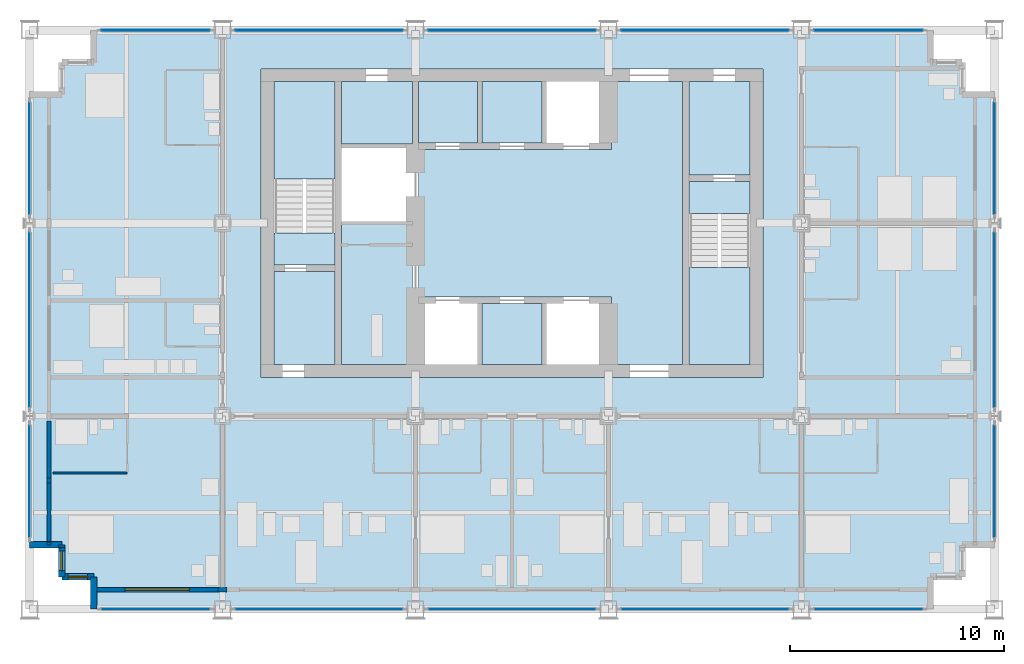
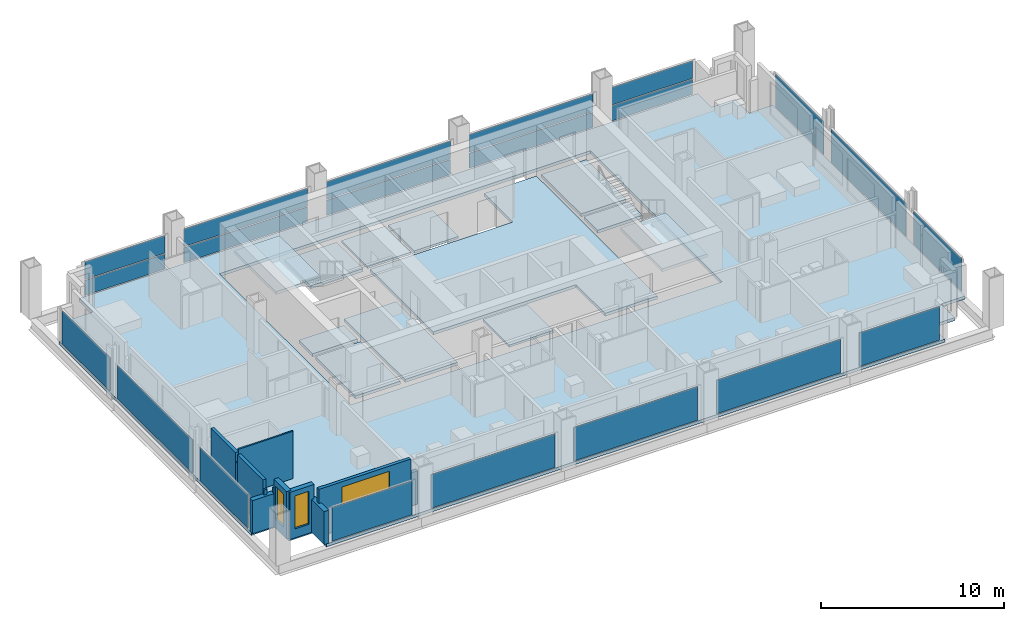
# One storey, part 6 of 13: 21 plates, 13 slabs, 12 walls, 3 windows, 3 openings, 18 elements without a shape of their own.
"""IFC4 building model written with IfcOpenShell, lengths in metres."""

from ifc_helpers import new_model, si_unit, direction, frame, frame_2d, origin, origin_2d, place, context, subcontext, project, spatial, polyline, rectangle, outline, extrude, material, layer, layer_set, type_object, element, fill, aggregate, save


model = new_model("IFC4")

# Units and contexts
model_context = context("Model", 3, precision=1e-05, world=origin(), true_north=direction((0.0, 1.0)))
body_context = subcontext(model_context, "Body", "Model", "MODEL_VIEW")
ifc_project = project(units=[si_unit("LENGTHUNIT", "METRE"), si_unit("AREAUNIT", "SQUARE_METRE"), si_unit("VOLUMEUNIT", "CUBIC_METRE"), si_unit("PLANEANGLEUNIT", "RADIAN"), si_unit("MASSUNIT", "GRAM", prefix="KILO")], contexts=[model_context])

# Site, building, storey
site_placement = place(None, origin())
site = spatial("IfcSite", under=ifc_project, at=site_placement, CompositionType="ELEMENT")
building_placement = place(site_placement, origin())
building = spatial("IfcBuilding", under=site, at=building_placement, Name="Loomwork Tower", CompositionType="ELEMENT")
storey_placement = place(building_placement, frame((0.0, 0.0, 218.199951171875)))
storey = spatial("IfcBuildingStorey", under=building, at=storey_placement, Name="L60", CompositionType="ELEMENT", Elevation=218.199951171875)

# Slabs
ifc_material_1 = material(Name="Concrete 5000 psi (34 MPa) on composite metal deck", Category="concrete")
ifc_layer_1 = layer(ifc_material_1, 0.199951171875)
ifc_layer_set_1 = layer_set([ifc_layer_1], Name="Floor slab 200")
slab_type_1 = type_object("IfcSlabType", Name="Floor slab 200", PredefinedType="FLOOR", material=ifc_layer_set_1)
slab_1_placement = place(storey_placement, frame((0.0, 0.0, -0.199951171875)))
element("IfcSlab", 1, at=slab_1_placement, inside=storey, type_object=slab_type_1, Name="Floor slab L60", PredefinedType="FLOOR", context=body_context, shape_type="SweptSolid", body=[
    extrude(outline(polyline([(3.0, 1.5), (1.5, 1.5), (1.5, 3.0), (0.0, 3.0), (0.0, 24.0), (1.5, 24.0), (1.5, 25.5), (3.0, 25.5), (3.0, 27.0), (42.0, 27.0), (42.0, 25.5), (43.5, 25.5), (43.5, 24.0), (45.0, 24.0), (45.0, 3.0), (43.5, 3.0), (43.5, 1.5), (42.0, 1.5), (42.0, 0.0), (3.0, 0.0), (3.0, 1.5)]), holes=[polyline([(10.800048828125, 11.39990234375), (10.800048828125, 11.39990234375), (10.800048828125, 10.800048828125), (34.199951171875, 10.800048828125), (34.199951171875, 11.39990234375), (34.199951171875, 11.39990234375), (34.199951171875, 24.60009765625), (34.199951171875, 25.199951171875), (10.800048828125, 25.199951171875), (10.800048828125, 24.60009765625), (10.800048828125, 11.39990234375)])]), origin(), (0.0, 0.0, 1.0), 0.199951171875),
])
slab_2_placement = place(storey_placement, frame((0.0, 0.0, -0.199951171875)))
element("IfcSlab", 2, at=slab_2_placement, inside=storey, type_object=slab_type_1, Name="Floor slab L60", PredefinedType="FLOOR", context=body_context, shape_type="SweptSolid", body=[
    extrude(outline(polyline([(30.449951171875, 24.60009765625), (30.449951171875, 11.39990234375), (27.14990234375, 11.39990234375), (27.14990234375, 14.25), (27.14990234375, 14.550048828125), (18.14990234375, 14.550048828125), (18.14990234375, 21.449951171875), (27.14990234375, 21.449951171875), (27.14990234375, 21.75), (27.14990234375, 24.60009765625), (30.449951171875, 24.60009765625)])), origin(), (0.0, 0.0, 1.0), 0.199951171875),
])
slab_3_placement = place(storey_placement, frame((0.0, 0.0, -0.199951171875)))
element("IfcSlab", 3, at=slab_3_placement, inside=storey, type_object=slab_type_1, Name="Floor slab L60", PredefinedType="FLOOR", context=body_context, shape_type="SweptSolid", body=[
    extrude(outline(polyline([(14.550048828125, 11.39990234375), (14.550048828125, 18.074951171875), (17.85009765625, 18.074951171875), (17.85009765625, 11.39990234375), (14.550048828125, 11.39990234375)])), origin(), (0.0, 0.0, 1.0), 0.199951171875),
])
slab_4_placement = place(storey_placement, frame((0.0, 0.0, -0.199951171875)))
element("IfcSlab", 4, at=slab_4_placement, inside=storey, type_object=slab_type_1, Name="Floor slab L60", PredefinedType="FLOOR", context=body_context, shape_type="SweptSolid", body=[
    extrude(outline(polyline([(33.60009765625, 20.25), (30.75, 20.25), (30.75, 24.60009765625), (33.60009765625, 24.60009765625), (33.60009765625, 20.25)])), origin(), (0.0, 0.0, 1.0), 0.199951171875),
])
slab_5_placement = place(storey_placement, frame((0.0, 0.0, -0.199951171875)))
element("IfcSlab", 5, at=slab_5_placement, inside=storey, type_object=slab_type_1, Name="Floor slab L60", PredefinedType="FLOOR", context=body_context, shape_type="SweptSolid", body=[
    extrude(outline(polyline([(14.25, 15.75), (14.25, 11.39990234375), (11.39990234375, 11.39990234375), (11.39990234375, 15.75), (14.25, 15.75)])), origin(), (0.0, 0.0, 1.0), 0.199951171875),
])
slab_6_placement = place(storey_placement, frame((0.0, 0.0, -0.199951171875)))
element("IfcSlab", 6, at=slab_6_placement, inside=storey, type_object=slab_type_1, Name="Floor slab L60", PredefinedType="FLOOR", context=body_context, shape_type="SweptSolid", body=[
    extrude(outline(polyline([(14.550048828125, 21.699951171875), (14.550048828125, 24.60009765625), (17.85009765625, 24.60009765625), (17.85009765625, 21.699951171875), (14.550048828125, 21.699951171875)])), origin(), (0.0, 0.0, 1.0), 0.199951171875),
])

# Curtain wall, plate
ifc_material_2 = material(Name="Aluminium curtain wall frame", Category="aluminium")
curtain_wall_type_1 = type_object("IfcCurtainWallType", Name="Outer skin glazing hotel", PredefinedType="NOTDEFINED", material=ifc_material_2)
curtain_wall_1_placement = place(storey_placement, origin())
curtain_wall_1 = element("IfcCurtainWall", 7, at=curtain_wall_1_placement, inside=storey, type_object=curtain_wall_type_1, Name="Outer skin glazing hotel cw/S-0", PredefinedType="NOTDEFINED")
ifc_material_3 = material(Name="Clear laminated glass", Category="glass")
ifc_layer_2 = layer(ifc_material_3, 0.02392578125)
ifc_layer_set_2 = layer_set([ifc_layer_2], Name="Outer skin glazing hotel panel")
plate_type_1 = type_object("IfcPlateType", Name="Outer skin glazing hotel panel", PredefinedType="CURTAIN_PANEL", material=ifc_layer_set_2)
plate_1_placement = place(storey_placement, frame((5.875, 0.0, 0.06494140625), z_axis=(0.0, 0.0, 1.0), x_axis=(1.0, 0.0, 0.0)))
plate_1 = element("IfcPlate", 8, at=plate_1_placement, type_object=plate_type_1, Name="CW1 panel 1.1", PredefinedType="CURTAIN_PANEL", context=body_context, shape_type="SweptSolid", body=[
    extrude(rectangle(XDim=5.050048828125, YDim=0.02392578125, at=origin_2d()), origin(), (0.0, 0.0, 1.0), 2.240234375),
])
aggregate(curtain_wall_1, [plate_1])

curtain_wall_2_placement = place(storey_placement, origin())
curtain_wall_2 = element("IfcCurtainWall", 9, at=curtain_wall_2_placement, inside=storey, type_object=curtain_wall_type_1, Name="Outer skin glazing hotel cw/S-9", PredefinedType="NOTDEFINED")
plate_2_placement = place(storey_placement, frame((13.5, 0.0, 0.06494140625), z_axis=(0.0, 0.0, 1.0), x_axis=(1.0, 0.0, 0.0)))
plate_2 = element("IfcPlate", 10, at=plate_2_placement, type_object=plate_type_1, Name="CW1 panel 1.1", PredefinedType="CURTAIN_PANEL", context=body_context, shape_type="SweptSolid", body=[
    extrude(rectangle(XDim=7.800048828125, YDim=0.02392578125, at=origin_2d()), origin(), (0.0, 0.0, 1.0), 2.240234375),
])
aggregate(curtain_wall_2, [plate_2])

curtain_wall_3_placement = place(storey_placement, origin())
curtain_wall_3 = element("IfcCurtainWall", 11, at=curtain_wall_3_placement, inside=storey, type_object=curtain_wall_type_1, Name="Outer skin glazing hotel cw/S-18", PredefinedType="NOTDEFINED")
plate_3_placement = place(storey_placement, frame((22.5, 0.0, 0.06494140625), z_axis=(0.0, 0.0, 1.0), x_axis=(1.0, 0.0, 0.0)))
plate_3 = element("IfcPlate", 12, at=plate_3_placement, type_object=plate_type_1, Name="CW1 panel 1.1", PredefinedType="CURTAIN_PANEL", context=body_context, shape_type="SweptSolid", body=[
    extrude(rectangle(XDim=7.800048828125, YDim=0.02392578125, at=origin_2d()), origin(), (0.0, 0.0, 1.0), 2.240234375),
])
aggregate(curtain_wall_3, [plate_3])

curtain_wall_4_placement = place(storey_placement, origin())
curtain_wall_4 = element("IfcCurtainWall", 13, at=curtain_wall_4_placement, inside=storey, type_object=curtain_wall_type_1, Name="Outer skin glazing hotel cw/S-27", PredefinedType="NOTDEFINED")
plate_4_placement = place(storey_placement, frame((31.5, 0.0, 0.06494140625), z_axis=(0.0, 0.0, 1.0), x_axis=(1.0, 0.0, 0.0)))
plate_4 = element("IfcPlate", 14, at=plate_4_placement, type_object=plate_type_1, Name="CW1 panel 1.1", PredefinedType="CURTAIN_PANEL", context=body_context, shape_type="SweptSolid", body=[
    extrude(rectangle(XDim=7.800048828125, YDim=0.02392578125, at=origin_2d()), origin(), (0.0, 0.0, 1.0), 2.240234375),
])
aggregate(curtain_wall_4, [plate_4])

curtain_wall_5_placement = place(storey_placement, origin())
curtain_wall_5 = element("IfcCurtainWall", 15, at=curtain_wall_5_placement, inside=storey, type_object=curtain_wall_type_1, Name="Outer skin glazing hotel cw/S-36", PredefinedType="NOTDEFINED")
plate_5_placement = place(storey_placement, frame((39.125, 0.0, 0.06494140625), z_axis=(0.0, 0.0, 1.0), x_axis=(1.0, 0.0, 0.0)))
plate_5 = element("IfcPlate", 16, at=plate_5_placement, type_object=plate_type_1, Name="CW1 panel 1.1", PredefinedType="CURTAIN_PANEL", context=body_context, shape_type="SweptSolid", body=[
    extrude(rectangle(XDim=5.050048828125, YDim=0.02392578125, at=origin_2d()), origin(), (0.0, 0.0, 1.0), 2.240234375),
])
aggregate(curtain_wall_5, [plate_5])

curtain_wall_6_placement = place(storey_placement, origin())
curtain_wall_6 = element("IfcCurtainWall", 17, at=curtain_wall_6_placement, inside=storey, type_object=curtain_wall_type_1, Name="Outer skin glazing hotel cw/W-0", PredefinedType="NOTDEFINED")
plate_6_placement = place(storey_placement, frame((0.0, 5.96826171875, 0.06494140625), z_axis=(0.0, 0.0, 1.0), x_axis=(0.0, -1.0, 0.0)))
plate_6 = element("IfcPlate", 18, at=plate_6_placement, type_object=plate_type_1, Name="CW1 panel 1.1", PredefinedType="CURTAIN_PANEL", context=body_context, shape_type="SweptSolid", body=[
    extrude(rectangle(XDim=5.236572265625, YDim=0.02392578125, at=origin_2d()), origin(), (0.0, 0.0, 1.0), 2.240234375),
])
aggregate(curtain_wall_6, [plate_6])

curtain_wall_7_placement = place(storey_placement, origin())
curtain_wall_7 = element("IfcCurtainWall", 19, at=curtain_wall_7_placement, inside=storey, type_object=curtain_wall_type_1, Name="Outer skin glazing hotel cw/W-9", PredefinedType="NOTDEFINED")
plate_7_placement = place(storey_placement, frame((0.0, 13.5, 0.06494140625), z_axis=(0.0, 0.0, 1.0), x_axis=(0.0, -1.0, 0.0)))
plate_7 = element("IfcPlate", 20, at=plate_7_placement, type_object=plate_type_1, Name="CW1 panel 1.1", PredefinedType="CURTAIN_PANEL", context=body_context, shape_type="SweptSolid", body=[
    extrude(rectangle(XDim=8.173095703125, YDim=0.02392578125, at=origin_2d()), origin(), (0.0, 0.0, 1.0), 2.240234375),
])
aggregate(curtain_wall_7, [plate_7])

curtain_wall_8_placement = place(storey_placement, origin())
curtain_wall_8 = element("IfcCurtainWall", 21, at=curtain_wall_8_placement, inside=storey, type_object=curtain_wall_type_1, Name="Outer skin glazing hotel cw/W-18", PredefinedType="NOTDEFINED")
plate_8_placement = place(storey_placement, frame((0.0, 21.03173828125, 0.06494140625), z_axis=(0.0, 0.0, 1.0), x_axis=(0.0, -1.0, 0.0)))
plate_8 = element("IfcPlate", 22, at=plate_8_placement, type_object=plate_type_1, Name="CW1 panel 1.1", PredefinedType="CURTAIN_PANEL", context=body_context, shape_type="SweptSolid", body=[
    extrude(rectangle(XDim=5.236572265625, YDim=0.02392578125, at=origin_2d()), origin(), (0.0, 0.0, 1.0), 2.240234375),
])
aggregate(curtain_wall_8, [plate_8])

curtain_wall_9_placement = place(storey_placement, origin())
curtain_wall_9 = element("IfcCurtainWall", 23, at=curtain_wall_9_placement, inside=storey, type_object=curtain_wall_type_1, Name="Outer skin glazing hotel cw/E-0", PredefinedType="NOTDEFINED")
plate_9_placement = place(storey_placement, frame((45.0, 5.96826171875, 0.06494140625), z_axis=(0.0, 0.0, 1.0), x_axis=(0.0, 1.0, 0.0)))
plate_9 = element("IfcPlate", 24, at=plate_9_placement, type_object=plate_type_1, Name="CW1 panel 1.1", PredefinedType="CURTAIN_PANEL", context=body_context, shape_type="SweptSolid", body=[
    extrude(rectangle(XDim=5.236572265625, YDim=0.02392578125, at=origin_2d()), origin(), (0.0, 0.0, 1.0), 2.240234375),
])
aggregate(curtain_wall_9, [plate_9])

curtain_wall_10_placement = place(storey_placement, origin())
curtain_wall_10 = element("IfcCurtainWall", 25, at=curtain_wall_10_placement, inside=storey, type_object=curtain_wall_type_1, Name="Outer skin glazing hotel cw/E-9", PredefinedType="NOTDEFINED")
plate_10_placement = place(storey_placement, frame((45.0, 13.5, 0.06494140625), z_axis=(0.0, 0.0, 1.0), x_axis=(0.0, 1.0, 0.0)))
plate_10 = element("IfcPlate", 26, at=plate_10_placement, type_object=plate_type_1, Name="CW1 panel 1.1", PredefinedType="CURTAIN_PANEL", context=body_context, shape_type="SweptSolid", body=[
    extrude(rectangle(XDim=8.173095703125, YDim=0.02392578125, at=origin_2d()), origin(), (0.0, 0.0, 1.0), 2.240234375),
])
aggregate(curtain_wall_10, [plate_10])

curtain_wall_11_placement = place(storey_placement, origin())
curtain_wall_11 = element("IfcCurtainWall", 27, at=curtain_wall_11_placement, inside=storey, type_object=curtain_wall_type_1, Name="Outer skin glazing hotel cw/E-18", PredefinedType="NOTDEFINED")
plate_11_placement = place(storey_placement, frame((45.0, 21.03173828125, 0.06494140625), z_axis=(0.0, 0.0, 1.0), x_axis=(0.0, 1.0, 0.0)))
plate_11 = element("IfcPlate", 28, at=plate_11_placement, type_object=plate_type_1, Name="CW1 panel 1.1", PredefinedType="CURTAIN_PANEL", context=body_context, shape_type="SweptSolid", body=[
    extrude(rectangle(XDim=5.236572265625, YDim=0.02392578125, at=origin_2d()), origin(), (0.0, 0.0, 1.0), 2.240234375),
])
aggregate(curtain_wall_11, [plate_11])

# Slabs
ifc_material_4 = material(Name="Concrete 5000 psi (34 MPa) on composite metal deck", Category="concrete")
ifc_layer_3 = layer(ifc_material_4, 0.14990234375)
ifc_layer_set_3 = layer_set([ifc_layer_3], Name="Shaft infill floor 150")
slab_type_2 = type_object("IfcSlabType", Name="Shaft infill floor 150", PredefinedType="FLOOR", material=ifc_layer_set_3)
slab_7_placement = place(storey_placement, frame((0.0, 0.0, -0.14990234375)))
element("IfcSlab", 29, at=slab_7_placement, inside=storey, type_object=slab_type_2, Name="Shaft infill floor LS1 L60", PredefinedType="FLOOR", context=body_context, shape_type="SweptSolid", body=[
    extrude(outline(polyline([(18.14990234375, 21.75), (20.89990234375, 21.75), (20.89990234375, 24.60009765625), (18.14990234375, 24.60009765625), (18.14990234375, 21.75)])), origin(), (0.0, 0.0, 1.0), 0.14990234375),
])
slab_8_placement = place(storey_placement, frame((0.0, 0.0, -0.14990234375)))
element("IfcSlab", 30, at=slab_8_placement, inside=storey, type_object=slab_type_2, Name="Shaft infill floor LS2 L60", PredefinedType="FLOOR", context=body_context, shape_type="SweptSolid", body=[
    extrude(outline(polyline([(21.10009765625, 21.75), (23.89990234375, 21.75), (23.89990234375, 24.60009765625), (21.10009765625, 24.60009765625), (21.10009765625, 21.75)])), origin(), (0.0, 0.0, 1.0), 0.14990234375),
])
slab_9_placement = place(storey_placement, frame((0.0, 0.0, -0.14990234375)))
element("IfcSlab", 31, at=slab_9_placement, inside=storey, type_object=slab_type_2, Name="Shaft infill floor S2 L60", PredefinedType="FLOOR", context=body_context, shape_type="SweptSolid", body=[
    extrude(outline(polyline([(21.10009765625, 11.39990234375), (23.89990234375, 11.39990234375), (23.89990234375, 14.25), (21.10009765625, 14.25), (21.10009765625, 11.39990234375)])), origin(), (0.0, 0.0, 1.0), 0.14990234375),
])

# Curtain wall, plates
ifc_material_5 = material(Name="Aluminium curtain wall frame", Category="aluminium")
curtain_wall_type_2 = type_object("IfcCurtainWallType", Name="Single skin glazing corridor", PredefinedType="NOTDEFINED", material=ifc_material_5)
curtain_wall_12_placement = place(storey_placement, origin())
curtain_wall_12 = element("IfcCurtainWall", 32, at=curtain_wall_12_placement, inside=storey, type_object=curtain_wall_type_2, Name="Single skin glazing corridor cw/N-0", PredefinedType="NOTDEFINED")
ifc_material_6 = material(Name="Clear insulated glass", Category="glass")
ifc_layer_4 = layer(ifc_material_6, 0.031982421875)
ifc_layer_set_4 = layer_set([ifc_layer_4], Name="Single skin glazing corridor panel")
plate_type_2 = type_object("IfcPlateType", Name="Single skin glazing corridor panel", PredefinedType="CURTAIN_PANEL", material=ifc_layer_set_4)
plate_12_placement = place(storey_placement, frame((5.875, 27.0, 0.065185546875), z_axis=(0.0, 0.0, 1.0), x_axis=(-1.0, 0.0, 0.0)))
plate_12 = element("IfcPlate", 33, at=plate_12_placement, type_object=plate_type_2, Name="CW3 panel 1.1", PredefinedType="CURTAIN_PANEL", context=body_context, shape_type="SweptSolid", body=[
    extrude(rectangle(XDim=5.050048828125, YDim=0.031982421875, at=origin_2d()), origin(), (0.0, 0.0, 1.0), 1.00244140625),
])
plate_13_placement = place(storey_placement, frame((5.875, 27.0, 1.1328125), z_axis=(0.0, 0.0, 1.0), x_axis=(-1.0, 0.0, 0.0)))
plate_13 = element("IfcPlate", 34, at=plate_13_placement, type_object=plate_type_2, Name="CW3 panel 1.2", PredefinedType="CURTAIN_PANEL", context=body_context, shape_type="SweptSolid", body=[
    extrude(rectangle(XDim=5.050048828125, YDim=0.031982421875, at=origin_2d()), origin(), (0.0, 0.0, 1.0), 1.172607421875),
])
aggregate(curtain_wall_12, [plate_12, plate_13])

curtain_wall_13_placement = place(storey_placement, origin())
curtain_wall_13 = element("IfcCurtainWall", 35, at=curtain_wall_13_placement, inside=storey, type_object=curtain_wall_type_2, Name="Single skin glazing corridor cw/N-9", PredefinedType="NOTDEFINED")
plate_14_placement = place(storey_placement, frame((13.5, 27.0, 0.065185546875), z_axis=(0.0, 0.0, 1.0), x_axis=(-1.0, 0.0, 0.0)))
plate_14 = element("IfcPlate", 36, at=plate_14_placement, type_object=plate_type_2, Name="CW3 panel 1.1", PredefinedType="CURTAIN_PANEL", context=body_context, shape_type="SweptSolid", body=[
    extrude(rectangle(XDim=7.800048828125, YDim=0.031982421875, at=origin_2d()), origin(), (0.0, 0.0, 1.0), 1.00244140625),
])
plate_15_placement = place(storey_placement, frame((13.5, 27.0, 1.1328125), z_axis=(0.0, 0.0, 1.0), x_axis=(-1.0, 0.0, 0.0)))
plate_15 = element("IfcPlate", 37, at=plate_15_placement, type_object=plate_type_2, Name="CW3 panel 1.2", PredefinedType="CURTAIN_PANEL", context=body_context, shape_type="SweptSolid", body=[
    extrude(rectangle(XDim=7.800048828125, YDim=0.031982421875, at=origin_2d()), origin(), (0.0, 0.0, 1.0), 1.172607421875),
])
aggregate(curtain_wall_13, [plate_14, plate_15])

curtain_wall_14_placement = place(storey_placement, origin())
curtain_wall_14 = element("IfcCurtainWall", 38, at=curtain_wall_14_placement, inside=storey, type_object=curtain_wall_type_2, Name="Single skin glazing corridor cw/N-18", PredefinedType="NOTDEFINED")
plate_16_placement = place(storey_placement, frame((22.5, 27.0, 0.065185546875), z_axis=(0.0, 0.0, 1.0), x_axis=(-1.0, 0.0, 0.0)))
plate_16 = element("IfcPlate", 39, at=plate_16_placement, type_object=plate_type_2, Name="CW3 panel 1.1", PredefinedType="CURTAIN_PANEL", context=body_context, shape_type="SweptSolid", body=[
    extrude(rectangle(XDim=7.800048828125, YDim=0.031982421875, at=origin_2d()), origin(), (0.0, 0.0, 1.0), 1.00244140625),
])
plate_17_placement = place(storey_placement, frame((22.5, 27.0, 1.1328125), z_axis=(0.0, 0.0, 1.0), x_axis=(-1.0, 0.0, 0.0)))
plate_17 = element("IfcPlate", 40, at=plate_17_placement, type_object=plate_type_2, Name="CW3 panel 1.2", PredefinedType="CURTAIN_PANEL", context=body_context, shape_type="SweptSolid", body=[
    extrude(rectangle(XDim=7.800048828125, YDim=0.031982421875, at=origin_2d()), origin(), (0.0, 0.0, 1.0), 1.172607421875),
])
aggregate(curtain_wall_14, [plate_16, plate_17])

curtain_wall_15_placement = place(storey_placement, origin())
curtain_wall_15 = element("IfcCurtainWall", 41, at=curtain_wall_15_placement, inside=storey, type_object=curtain_wall_type_2, Name="Single skin glazing corridor cw/N-27", PredefinedType="NOTDEFINED")
plate_18_placement = place(storey_placement, frame((31.5, 27.0, 0.065185546875), z_axis=(0.0, 0.0, 1.0), x_axis=(-1.0, 0.0, 0.0)))
plate_18 = element("IfcPlate", 42, at=plate_18_placement, type_object=plate_type_2, Name="CW3 panel 1.1", PredefinedType="CURTAIN_PANEL", context=body_context, shape_type="SweptSolid", body=[
    extrude(rectangle(XDim=7.800048828125, YDim=0.031982421875, at=origin_2d()), origin(), (0.0, 0.0, 1.0), 1.00244140625),
])
plate_19_placement = place(storey_placement, frame((31.5, 27.0, 1.1328125), z_axis=(0.0, 0.0, 1.0), x_axis=(-1.0, 0.0, 0.0)))
plate_19 = element("IfcPlate", 43, at=plate_19_placement, type_object=plate_type_2, Name="CW3 panel 1.2", PredefinedType="CURTAIN_PANEL", context=body_context, shape_type="SweptSolid", body=[
    extrude(rectangle(XDim=7.800048828125, YDim=0.031982421875, at=origin_2d()), origin(), (0.0, 0.0, 1.0), 1.172607421875),
])
aggregate(curtain_wall_15, [plate_18, plate_19])

curtain_wall_16_placement = place(storey_placement, origin())
curtain_wall_16 = element("IfcCurtainWall", 44, at=curtain_wall_16_placement, inside=storey, type_object=curtain_wall_type_2, Name="Single skin glazing corridor cw/N-36", PredefinedType="NOTDEFINED")
plate_20_placement = place(storey_placement, frame((39.125, 27.0, 0.065185546875), z_axis=(0.0, 0.0, 1.0), x_axis=(-1.0, 0.0, 0.0)))
plate_20 = element("IfcPlate", 45, at=plate_20_placement, type_object=plate_type_2, Name="CW3 panel 1.1", PredefinedType="CURTAIN_PANEL", context=body_context, shape_type="SweptSolid", body=[
    extrude(rectangle(XDim=5.050048828125, YDim=0.031982421875, at=origin_2d()), origin(), (0.0, 0.0, 1.0), 1.00244140625),
])
plate_21_placement = place(storey_placement, frame((39.125, 27.0, 1.1328125), z_axis=(0.0, 0.0, 1.0), x_axis=(-1.0, 0.0, 0.0)))
plate_21 = element("IfcPlate", 46, at=plate_21_placement, type_object=plate_type_2, Name="CW3 panel 1.2", PredefinedType="CURTAIN_PANEL", context=body_context, shape_type="SweptSolid", body=[
    extrude(rectangle(XDim=5.050048828125, YDim=0.031982421875, at=origin_2d()), origin(), (0.0, 0.0, 1.0), 1.172607421875),
])
aggregate(curtain_wall_16, [plate_20, plate_21])

# Stair, slabs
ifc_material_7 = material(Name="Concrete 5000 psi (34 MPa) precast stair", Category="concrete")
stair_type_1 = type_object("IfcStairType", Name="Stair ST-A 20 risers 2850 wide", PredefinedType="HALF_TURN_STAIR", material=ifc_material_7)
stair_1_placement = place(storey_placement, origin())
stair_1 = element("IfcStair", 47, at=stair_1_placement, inside=storey, type_object=stair_type_1, Name="Stair A L60", PredefinedType="HALF_TURN_STAIR")
ifc_material_8 = material(Name="Concrete 5000 psi (34 MPa)", Category="concrete")
ifc_layer_5 = layer(ifc_material_8, 0.199951171875)
ifc_layer_set_5 = layer_set([ifc_layer_5], Name="Stair landing 200")
slab_type_3 = type_object("IfcSlabType", Name="Stair landing 200", PredefinedType="LANDING", material=ifc_layer_set_5)
slab_10_placement = place(storey_placement, frame((0.0, 0.0, -0.199951171875)))
slab_10 = element("IfcSlab", 48, at=slab_10_placement, type_object=slab_type_3, Name="ST-A landing 1", PredefinedType="LANDING", context=body_context, shape_type="SweptSolid", body=[
    extrude(outline(polyline([(11.39990234375, 16.050048828125), (14.25, 16.050048828125), (14.25, 17.550048828125), (11.39990234375, 17.550048828125), (11.39990234375, 16.050048828125)])), origin(), (0.0, 0.0, 1.0), 0.199951171875),
])
slab_11_placement = place(storey_placement, frame((0.0, 0.0, 1.5)))
slab_11 = element("IfcSlab", 49, at=slab_11_placement, type_object=slab_type_3, Name="ST-A landing 2", PredefinedType="LANDING", context=body_context, shape_type="SweptSolid", body=[
    extrude(outline(polyline([(11.39990234375, 20.070068359375), (14.25, 20.070068359375), (14.25, 24.60009765625), (11.39990234375, 24.60009765625), (11.39990234375, 20.070068359375)])), origin(), (0.0, 0.0, 1.0), 0.199951171875),
])
aggregate(stair_1, [slab_10, slab_11])

ifc_material_9 = material(Name="Concrete 5000 psi (34 MPa) precast stair", Category="concrete")
stair_type_2 = type_object("IfcStairType", Name="Stair ST-B 20 risers 2850 wide", PredefinedType="HALF_TURN_STAIR", material=ifc_material_9)
stair_2_placement = place(storey_placement, origin())
stair_2 = element("IfcStair", 50, at=stair_2_placement, inside=storey, type_object=stair_type_2, Name="Stair B L60", PredefinedType="HALF_TURN_STAIR")
slab_12_placement = place(storey_placement, frame((0.0, 0.0, -0.199951171875)))
slab_12 = element("IfcSlab", 51, at=slab_12_placement, type_object=slab_type_3, Name="ST-B landing 1", PredefinedType="LANDING", context=body_context, shape_type="SweptSolid", body=[
    extrude(outline(polyline([(30.75, 18.449951171875), (33.60009765625, 18.449951171875), (33.60009765625, 19.949951171875), (30.75, 19.949951171875), (30.75, 18.449951171875)])), origin(), (0.0, 0.0, 1.0), 0.199951171875),
])
slab_13_placement = place(storey_placement, frame((0.0, 0.0, 1.5)))
slab_13 = element("IfcSlab", 52, at=slab_13_placement, type_object=slab_type_3, Name="ST-B landing 2", PredefinedType="LANDING", context=body_context, shape_type="SweptSolid", body=[
    extrude(outline(polyline([(30.75, 11.39990234375), (33.60009765625, 11.39990234375), (33.60009765625, 15.929931640625), (30.75, 15.929931640625), (30.75, 11.39990234375)])), origin(), (0.0, 0.0, 1.0), 0.199951171875),
])
aggregate(stair_2, [slab_12, slab_13])

# Wall
ifc_material_10 = material(Name="Cement board on steel studs", Category="steel")
ifc_layer_6 = layer(ifc_material_10, 0.10009765625)
ifc_layer_set_6 = layer_set([ifc_layer_6], Name="En-suite partition 100")
wall_type_1 = type_object("IfcWallType", Name="En-suite partition 100", PredefinedType="PARTITIONING", material=ifc_layer_set_6)
wall_1_placement = place(storey_placement, frame((1.10009765625, 6.35009765625, 0.0), z_axis=(0.0, 0.0, 1.0), x_axis=(1.0, 0.0, 0.0)))
element("IfcWall", 53, at=wall_1_placement, inside=storey, type_object=wall_type_1, Name="En-suite wall L60 room 1", PredefinedType="PARTITIONING", context=body_context, shape_type="SweptSolid", body=[
    extrude(rectangle(XDim=3.449951171875, YDim=0.10009765625, at=frame_2d((1.72509765625, 0.0))), origin(), (0.0, 0.0, 1.0), 3.150146484375),
])

# Wall, opening, window
ifc_material_11 = material(Name="Insulated steel stud wall with gypsum lining", Category="steel")
ifc_layer_7 = layer(ifc_material_11, 0.199951171875)
ifc_layer_set_7 = layer_set([ifc_layer_7], Name="Inner skin wall 200")
wall_type_2 = type_object("IfcWallType", Name="Inner skin wall 200", PredefinedType="SOLIDWALL", material=ifc_layer_set_7)
wall_2_placement = place(storey_placement, frame((3.0, 0.89990234375, 0.0), z_axis=(0.0, 0.0, 1.0), x_axis=(1.0, 0.0, 0.0)))
wall_2 = element("IfcWall", 54, at=wall_2_placement, inside=storey, type_object=wall_type_2, Name="Inner skin wall S", PredefinedType="SOLIDWALL", context=body_context, shape_type="SweptSolid", body=[
    extrude(rectangle(XDim=5.78466796875, YDim=0.199951171875, at=frame_2d((2.892333984375, 0.0))), origin(), (0.0, 0.0, 1.0), 3.150146484375),
])
opening_1_placement = place(wall_2_placement, frame((1.449951171875, 0.0, 0.60009765625)))
opening_1 = element("IfcOpeningElement", 55, at=opening_1_placement, cuts=wall_2, Name="Opening CH1", PredefinedType="OPENING", context=body_context, shape_type="SweptSolid", body=[
    extrude(rectangle(XDim=3.0, YDim=2.199951171875, at=frame_2d((1.5, 1.10009765625))), frame((0.0, 0.10986328125, 0.0), z_axis=(0.0, -1.0, 0.0), x_axis=(1.0, 0.0, 0.0)), (0.0, 0.0, 1.0), 0.219970703125),
])
ifc_material_12 = material(Name="Aluminium frame with clear insulated glass", Category="aluminium")
window_type_1 = type_object("IfcWindowType", Name="Chicago window 3000", PartitioningType="TRIPLE_PANEL_VERTICAL", PredefinedType="WINDOW", material=ifc_material_12)
window_1_placement = place(opening_1_placement, origin())
window_1 = element("IfcWindow", 56, at=window_1_placement, inside=storey, type_object=window_type_1, Name="Chicago window L60 bay 1", OverallHeight=2.199951171875, OverallWidth=3.0, PartitioningType="TRIPLE_PANEL_VERTICAL", PredefinedType="WINDOW", context=body_context, shape_type="SweptSolid", body=[
    extrude(rectangle(XDim=3.0, YDim=2.199951171875, at=frame_2d((1.5, 1.10009765625))), frame((0.0, 0.030029296875, 0.0), z_axis=(0.0, -1.0, 0.0), x_axis=(1.0, 0.0, 0.0)), (0.0, 0.0, 1.0), 0.06005859375),
])
fill(opening_1, window_1)

# Walls
wall_3_placement = place(storey_placement, frame((0.89990234375, 3.0, 0.0), z_axis=(0.0, 0.0, 1.0), x_axis=(0.0, 1.0, 0.0)))
element("IfcWall", 57, at=wall_3_placement, inside=storey, type_object=wall_type_2, Name="Inner skin wall W", PredefinedType="SOLIDWALL", context=body_context, shape_type="SweptSolid", body=[
    extrude(rectangle(XDim=0.1162109375, YDim=0.199951171875, at=frame_2d((0.05810546875, 0.0))), origin(), (0.0, 0.0, 1.0), 2.5419921875),
])
wall_4_placement = place(storey_placement, frame((8.78466796875, 0.89990234375, 0.0), z_axis=(0.0, 0.0, 1.0), x_axis=(1.0, 0.0, 0.0)))
element("IfcWall", 58, at=wall_4_placement, inside=storey, type_object=wall_type_2, Name="Inner skin wall S bay 2", PredefinedType="SOLIDWALL", context=body_context, shape_type="SweptSolid", body=[
    extrude(rectangle(XDim=0.4306640625, YDim=0.199951171875, at=frame_2d((0.21533203125, 0.0))), origin(), (0.0, 0.0, 1.0), 2.2099609375),
])
wall_5_placement = place(storey_placement, frame((0.89990234375, 3.1162109375, 0.0), z_axis=(0.0, 0.0, 1.0), x_axis=(0.0, 1.0, 0.0)))
element("IfcWall", 59, at=wall_5_placement, inside=storey, type_object=wall_type_2, Name="Inner skin wall W bay 2", PredefinedType="SOLIDWALL", context=body_context, shape_type="SweptSolid", body=[
    extrude(rectangle(XDim=2.767578125, YDim=0.199951171875, at=frame_2d((1.3837890625, 0.0))), origin(), (0.0, 0.0, 1.0), 3.150146484375),
])
wall_6_placement = place(storey_placement, frame((0.89990234375, 5.8837890625, 0.0), z_axis=(0.0, 0.0, 1.0), x_axis=(0.0, 1.0, 0.0)))
element("IfcWall", 60, at=wall_6_placement, inside=storey, type_object=wall_type_2, Name="Inner skin wall W bay 3", PredefinedType="SOLIDWALL", context=body_context, shape_type="SweptSolid", body=[
    extrude(rectangle(XDim=0.232421875, YDim=0.199951171875, at=frame_2d((0.1162109375, 0.0))), origin(), (0.0, 0.0, 1.0), 2.5419921875),
])
wall_7_placement = place(storey_placement, frame((0.89990234375, 6.1162109375, 0.0), z_axis=(0.0, 0.0, 1.0), x_axis=(0.0, 1.0, 0.0)))
element("IfcWall", 61, at=wall_7_placement, inside=storey, type_object=wall_type_2, Name="Inner skin wall W bay 4", PredefinedType="SOLIDWALL", context=body_context, shape_type="SweptSolid", body=[
    extrude(rectangle(XDim=2.66845703125, YDim=0.199951171875, at=frame_2d((1.334228515625, 0.0))), origin(), (0.0, 0.0, 1.0), 3.150146484375),
])
ifc_material_13 = material(Name="Limestone on concrete masonry", Category="masonry")
ifc_layer_8 = layer(ifc_material_13, 0.300048828125)
ifc_layer_set_8 = layer_set([ifc_layer_8], Name="Limestone corner wall 300")
wall_type_3 = type_object("IfcWallType", Name="Limestone corner wall 300", PredefinedType="SOLIDWALL", material=ifc_layer_set_8)
wall_8_placement = place(storey_placement, frame((0.0, 3.0, 0.0), z_axis=(0.0, 0.0, 1.0), x_axis=(1.0, 0.0, 0.0)))
element("IfcWall", 62, at=wall_8_placement, inside=storey, type_object=wall_type_3, Name="Stone corner wall SW 1", PredefinedType="SOLIDWALL", context=body_context, shape_type="SweptSolid", body=[
    extrude(rectangle(XDim=1.5, YDim=0.300048828125, at=frame_2d((0.75, 0.0))), origin(), (0.0, 0.0, 1.0), 2.2021484375),
])
wall_9_placement = place(storey_placement, frame((1.5, 3.0, 0.0), z_axis=(0.0, 0.0, 1.0), x_axis=(0.0, -1.0, 0.0)))
element("IfcWall", 63, at=wall_9_placement, inside=storey, type_object=wall_type_3, Name="Stone corner wall SW 2", PredefinedType="SOLIDWALL", context=body_context, shape_type="SweptSolid", body=[
    extrude(rectangle(XDim=0.1162109375, YDim=0.300048828125, at=frame_2d((0.05810546875, 0.0))), origin(), (0.0, 0.0, 1.0), 2.5419921875),
])

# Wall, opening, window
wall_10_placement = place(storey_placement, frame((1.5, 1.5, 0.0), z_axis=(0.0, 0.0, 1.0), x_axis=(1.0, 0.0, 0.0)))
wall_10 = element("IfcWall", 64, at=wall_10_placement, inside=storey, type_object=wall_type_3, Name="Stone corner wall SW 3", PredefinedType="SOLIDWALL", context=body_context, shape_type="SweptSolid", body=[
    extrude(rectangle(XDim=1.5, YDim=0.300048828125, at=frame_2d((0.75, 0.0))), origin(), (0.0, 0.0, 1.0), 3.150146484375),
])
opening_2_placement = place(wall_10_placement, frame((0.300048828125, 0.0, 0.60009765625)))
opening_2 = element("IfcOpeningElement", 65, at=opening_2_placement, cuts=wall_10, Name="Opening CH2", PredefinedType="OPENING", context=body_context, shape_type="SweptSolid", body=[
    extrude(rectangle(XDim=0.89990234375, YDim=2.199951171875, at=frame_2d((0.449951171875, 1.10009765625))), frame((0.0, 0.159912109375, 0.0), z_axis=(0.0, -1.0, 0.0), x_axis=(1.0, 0.0, 0.0)), (0.0, 0.0, 1.0), 0.320068359375),
])
ifc_material_14 = material(Name="Aluminium frame with clear insulated glass", Category="aluminium")
window_type_2 = type_object("IfcWindowType", Name="Corner window 900", PartitioningType="SINGLE_PANEL", PredefinedType="WINDOW", material=ifc_material_14)
window_2_placement = place(opening_2_placement, origin())
window_2 = element("IfcWindow", 66, at=window_2_placement, inside=storey, type_object=window_type_2, Name="Corner window SW", OverallHeight=2.199951171875, OverallWidth=0.89990234375, PartitioningType="SINGLE_PANEL", PredefinedType="WINDOW", context=body_context, shape_type="SweptSolid", body=[
    extrude(rectangle(XDim=0.89990234375, YDim=2.199951171875, at=frame_2d((0.449951171875, 1.10009765625))), frame((0.0, 0.030029296875, 0.0), z_axis=(0.0, -1.0, 0.0), x_axis=(1.0, 0.0, 0.0)), (0.0, 0.0, 1.0), 0.06005859375),
])
fill(opening_2, window_2)

# Wall
wall_11_placement = place(storey_placement, frame((3.0, 1.5, 0.0), z_axis=(0.0, 0.0, 1.0), x_axis=(0.0, -1.0, 0.0)))
element("IfcWall", 67, at=wall_11_placement, inside=storey, type_object=wall_type_3, Name="Stone corner wall SW 4", PredefinedType="SOLIDWALL", context=body_context, shape_type="SweptSolid", body=[
    extrude(rectangle(XDim=1.5, YDim=0.300048828125, at=frame_2d((0.75, 0.0))), origin(), (0.0, 0.0, 1.0), 2.2021484375),
])

# Wall, opening, window
wall_12_placement = place(storey_placement, frame((1.5, 2.8837890625, 0.0), z_axis=(0.0, 0.0, 1.0), x_axis=(0.0, -1.0, 0.0)))
wall_12 = element("IfcWall", 68, at=wall_12_placement, inside=storey, type_object=wall_type_3, Name="Stone corner wall SW 2 bay 2", PredefinedType="SOLIDWALL", context=body_context, shape_type="SweptSolid", body=[
    extrude(rectangle(XDim=1.3837890625, YDim=0.300048828125, at=frame_2d((0.69189453125, 0.0))), origin(), (0.0, 0.0, 1.0), 3.150146484375),
])
opening_3_placement = place(wall_12_placement, frame((0.183837890625, 0.0, 0.60009765625)))
opening_3 = element("IfcOpeningElement", 69, at=opening_3_placement, cuts=wall_12, Name="Opening CH2", PredefinedType="OPENING", context=body_context, shape_type="SweptSolid", body=[
    extrude(rectangle(XDim=0.89990234375, YDim=2.199951171875, at=frame_2d((0.449951171875, 1.10009765625))), frame((0.0, 0.159912109375, 0.0), z_axis=(0.0, -1.0, 0.0), x_axis=(1.0, 0.0, 0.0)), (0.0, 0.0, 1.0), 0.320068359375),
])
window_3_placement = place(opening_3_placement, origin())
window_3 = element("IfcWindow", 70, at=window_3_placement, inside=storey, type_object=window_type_2, Name="Corner window SW", OverallHeight=2.199951171875, OverallWidth=0.89990234375, PartitioningType="SINGLE_PANEL", PredefinedType="WINDOW", context=body_context, shape_type="SweptSolid", body=[
    extrude(rectangle(XDim=0.89990234375, YDim=2.199951171875, at=frame_2d((0.449951171875, 1.10009765625))), frame((0.0, 0.030029296875, 0.0), z_axis=(0.0, -1.0, 0.0), x_axis=(1.0, 0.0, 0.0)), (0.0, 0.0, 1.0), 0.06005859375),
])
fill(opening_3, window_3)

save(model, "model.ifc")
